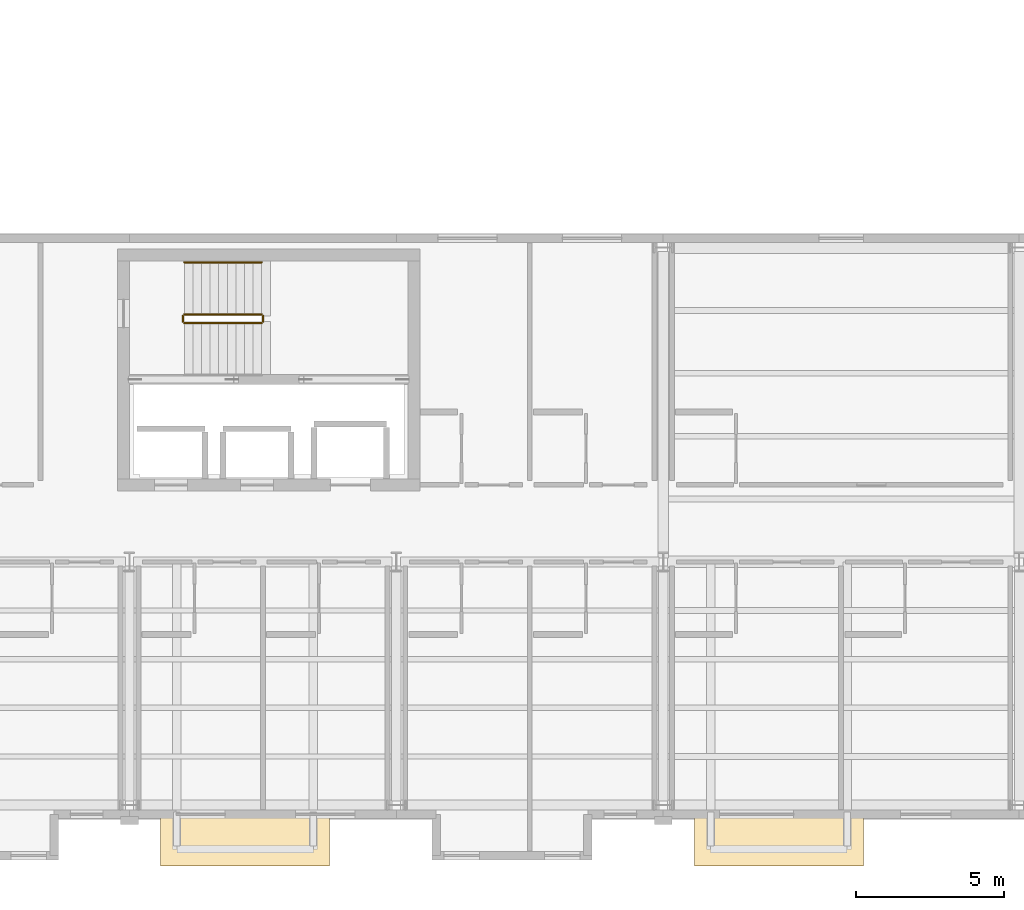
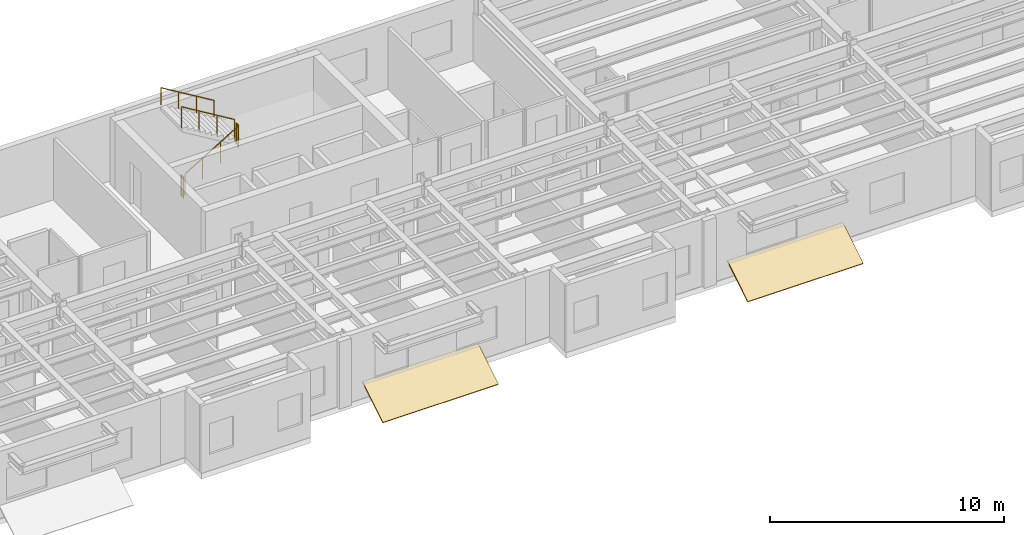
# One storey, part 21 of 23: 5 railings, 2 coverings.
"""IFC4 building model written with IfcOpenShell, lengths in metres."""

import ifcopenshell
import ifcopenshell.guid

model = None  # the IFC model being written
_history = None  # IfcOwnerHistory: only IFC2X3 demands one
_inside = {}  # id of a spatial element -> (the spatial element, [elements in it])
_under = {}  # id of a project, library or spatial element -> (it, [spatial elements below it])
_declared = {}  # id of a project -> (the project, [libraries it declares])
_typed = {}  # id of a type object -> (the type object, [elements of that type])
_made_of = {}  # id of a material, layer set ... -> (it, [elements and type objects made of it])


def new_model(schema):
    """Start an empty IFC model of exactly this schema.

    Asked for "IFC4X3", IfcOpenShell would pick the latest addendum, in which some entities
    have other attributes; the version numbers below select the first issue.
    IFC2X3 requires an IfcOwnerHistory on every rooted entity: one is made here for all.
    """
    global model, _history
    if schema == "IFC4X3":
        model = ifcopenshell.file(schema_version=(4, 3, 0, 0))
    else:
        model = ifcopenshell.file(schema=schema)
    _inside.clear()
    _under.clear()
    _declared.clear()
    _typed.clear()
    _made_of.clear()
    _history = None
    if model.schema == "IFC2X3":
        org = make("IfcOrganization", Name="unknown")
        user = make(
            "IfcPersonAndOrganization",
            ThePerson=make("IfcPerson", FamilyName="unknown"),
            TheOrganization=org,
        )
        app = make(
            "IfcApplication",
            ApplicationDeveloper=org,
            Version="unknown",
            ApplicationFullName="unknown",
            ApplicationIdentifier="unknown",
        )
        _history = make(
            "IfcOwnerHistory",
            OwningUser=user,
            OwningApplication=app,
            ChangeAction="ADDED",
            CreationDate=0,
        )
    return model


def make(cls, **values):
    """One entity of the class cls with the attributes given. An attribute that is None is left unset."""
    return model.create_entity(
        cls, **{name: value for name, value in values.items() if value is not None}
    )


def rooted(cls, **values):
    """An entity with a GlobalId (a new one), such as an element, a storey or a relation."""
    return make(cls, GlobalId=ifcopenshell.guid.new(), OwnerHistory=_history, **values)


def si_unit(unit_type, name, prefix=None):
    """IfcSIUnit, for example si_unit("LENGTHUNIT", "METRE", prefix="MILLI")."""
    return make("IfcSIUnit", UnitType=unit_type, Prefix=prefix, Name=name)


def assignment(units):
    """IfcUnitAssignment: the units of a project."""
    return None if units is None else make("IfcUnitAssignment", Units=units)


def point(xyz):
    """IfcCartesianPoint."""
    return None if xyz is None else make("IfcCartesianPoint", Coordinates=xyz)


def direction(xyz):
    """IfcDirection."""
    return None if xyz is None else make("IfcDirection", DirectionRatios=xyz)


def frame(location, z_axis=None, x_axis=None):
    """IfcAxis2Placement3D, a coordinate frame: its origin and axes. An axis left out is left unset."""
    return make(
        "IfcAxis2Placement3D",
        Location=point(location),
        Axis=direction(z_axis),
        RefDirection=direction(x_axis),
    )


def frame_2d(location, x_axis=None):
    """IfcAxis2Placement2D, a coordinate frame in the plane: its origin and x axis."""
    return make(
        "IfcAxis2Placement2D", Location=point(location), RefDirection=direction(x_axis)
    )


def origin():
    """The frame at (0, 0, 0) with its axes left unset."""
    return frame((0.0, 0.0, 0.0))


def origin_2d():
    """The frame at (0, 0) in the plane with its x axis left unset."""
    return frame_2d((0.0, 0.0))


def place(relative_to, where):
    """IfcLocalPlacement: puts the frame where relative to a parent placement (None: the world)."""
    return make(
        "IfcLocalPlacement", PlacementRelTo=relative_to, RelativePlacement=where
    )


def context(
    kind, dimensions, precision=None, world=None, true_north=None, identifier=None
):
    """IfcGeometricRepresentationContext, for example the 3D "Model" context."""
    return make(
        "IfcGeometricRepresentationContext",
        ContextIdentifier=identifier,
        ContextType=kind,
        CoordinateSpaceDimension=dimensions,
        Precision=precision,
        WorldCoordinateSystem=world,
        TrueNorth=true_north,
    )


def subcontext(parent, identifier, kind, view, scale=None):
    """IfcGeometricRepresentationSubContext, for example "Body" below "Model"."""
    return make(
        "IfcGeometricRepresentationSubContext",
        ContextIdentifier=identifier,
        ContextType=kind,
        ParentContext=parent,
        TargetScale=scale,
        TargetView=view,
    )


def project(units=None, contexts=None):
    """IfcProject with its units and contexts."""
    return rooted(
        "IfcProject",
        Name="project",
        RepresentationContexts=contexts,
        UnitsInContext=assignment(units),
    )


def spatial(cls, under=None, at=None, **own):
    """A site, building, storey or space (cls), placed at a placement, below another one or the project."""
    s = rooted(cls, ObjectPlacement=at, **own)
    if under is not None:
        _under.setdefault(under.id(), (under, []))[1].append(s)
    return s


def polyline(points):
    """IfcPolyline through the points."""
    return make("IfcPolyline", Points=[point(p) for p in points])


def profile(cls, at=None, kind="AREA", **sizes):
    """A parametric profile (cls). Its sizes go by their IFC names, for example OverallWidth=200.0."""
    return make(cls, ProfileType=kind, Position=at, **sizes)


def circle(**sizes):
    """IfcCircleProfileDef."""
    return profile("IfcCircleProfileDef", **sizes)


def outline(outer, holes=None, kind="AREA"):
    """IfcArbitraryClosedProfileDef: a profile drawn as a closed curve; with holes, ...WithVoids."""
    if holes is None:
        return make("IfcArbitraryClosedProfileDef", ProfileType=kind, OuterCurve=outer)
    return make(
        "IfcArbitraryProfileDefWithVoids",
        ProfileType=kind,
        OuterCurve=outer,
        InnerCurves=holes,
    )


def extrude(swept, where, along, depth):
    """IfcExtrudedAreaSolid: the profile swept, set in the frame where, extruded along a direction by depth."""
    return make(
        "IfcExtrudedAreaSolid",
        SweptArea=swept,
        Position=where,
        ExtrudedDirection=direction(along),
        Depth=depth,
    )


def shape(context_of_items, identifier, shape_type, items):
    """IfcShapeRepresentation: the items that make up one representation, for example the "Body"."""
    return make(
        "IfcShapeRepresentation",
        ContextOfItems=context_of_items,
        RepresentationIdentifier=identifier,
        RepresentationType=shape_type,
        Items=items,
    )


def material(Name=None, Category=None):
    """IfcMaterial."""
    return make("IfcMaterial", Name=Name, Category=Category)


def layer(
    of_material, thickness, ventilated=None, Name=None, Category=None, Priority=None
):
    """IfcMaterialLayer: one layer of a wall or slab, of a material (None: an air gap)."""
    return make(
        "IfcMaterialLayer",
        Material=of_material,
        LayerThickness=thickness,
        IsVentilated=ventilated,
        Name=Name,
        Category=Category,
        Priority=Priority,
    )


def layer_set(layers, Name=None):
    """IfcMaterialLayerSet."""
    return make("IfcMaterialLayerSet", MaterialLayers=layers, LayerSetName=Name)


def made_of(thing, what):
    """Note that an element or type object is made of a material, layer set ...; save() writes the relation."""
    if what is not None:
        _made_of.setdefault(what.id(), (what, []))[1].append(thing)
    return thing


def type_object(cls, material=None, **own):
    """A type object (cls), such as IfcWallType, which elements share."""
    return made_of(rooted(cls, **own), material)


def element(
    cls,
    number,
    at=None,
    inside=None,
    cuts=None,
    type_object=None,
    material=None,
    context=None,
    identifier="Body",
    shape_type=None,
    held_by="IfcProductDefinitionShape",
    body=None,
    shapes=None,
    **own,
):
    """One element of the class cls, such as IfcWall. Its Tag is "e" and its number.

    at: its placement. inside: the storey or other place that contains it. cuts: it is an
    opening in that element (IfcRelVoidsElement). A single representation is given by context,
    identifier, shape_type and body (its items); several are given by shapes. held_by: the class
    of the entity that holds the representations. save() writes the other relations.
    """
    e = rooted(cls, Tag="e%d" % number, ObjectPlacement=at, **own)
    if body is not None:
        shapes = [shape(context, identifier, shape_type, body)]
    if shapes is not None:
        e.Representation = make(held_by, Representations=shapes)
    if inside is not None:
        _inside.setdefault(inside.id(), (inside, []))[1].append(e)
    if cuts is not None:
        rooted(
            "IfcRelVoidsElement", RelatingBuildingElement=cuts, RelatedOpeningElement=e
        )
    if type_object is not None:
        _typed.setdefault(type_object.id(), (type_object, []))[1].append(e)
    return made_of(e, material)


def aggregate(whole, parts):
    """IfcRelAggregates: a whole, such as a stair, and the parts it consists of."""
    return rooted("IfcRelAggregates", RelatingObject=whole, RelatedObjects=parts)


def save(model, path):
    """Write the relations noted so far, then the file.

    IfcRelAggregates (storeys below a building ...), IfcRelContainedInSpatialStructure (elements
    in a storey), IfcRelDefinesByType, IfcRelAssociatesMaterial and IfcRelDeclares: one each for
    every whole, place, type object, material and project.
    """
    for whole, parts in _under.values():
        aggregate(whole, parts)
    for where, things in _inside.values():
        rooted(
            "IfcRelContainedInSpatialStructure",
            RelatedElements=things,
            RelatingStructure=where,
        )
    for kind, things in _typed.values():
        rooted("IfcRelDefinesByType", RelatedObjects=things, RelatingType=kind)
    for what, things in _made_of.values():
        rooted("IfcRelAssociatesMaterial", RelatedObjects=things, RelatingMaterial=what)
    for by, libraries in _declared.values():
        rooted("IfcRelDeclares", RelatingContext=by, RelatedDefinitions=libraries)
    model.write(path)


model = new_model("IFC4")

# Units and contexts
model_context = context("Model", 3, precision=1e-05, world=origin(), true_north=direction((0.0, 1.0)))
body_context = subcontext(model_context, "Body", "Model", "MODEL_VIEW")
ifc_project = project(units=[si_unit("LENGTHUNIT", "METRE"), si_unit("AREAUNIT", "SQUARE_METRE"), si_unit("VOLUMEUNIT", "CUBIC_METRE"), si_unit("PLANEANGLEUNIT", "RADIAN"), si_unit("MASSUNIT", "GRAM", prefix="KILO")], contexts=[model_context])

# Site, building, storey
site_placement = place(None, origin())
site = spatial("IfcSite", under=ifc_project, at=site_placement, CompositionType="ELEMENT")
building_placement = place(site_placement, origin())
building = spatial("IfcBuilding", under=site, at=building_placement, Name="Sollismere Congress Hotel", CompositionType="ELEMENT")
storey_placement = place(building_placement, frame((0.0, 0.0, 30.60009765625)))
storey = spatial("IfcBuildingStorey", under=building, at=storey_placement, Name="L07", CompositionType="ELEMENT", Elevation=30.60009765625)

# Coverings
ifc_material_1 = material(Name="Standing-Seam Titanium-Zinc Roof Assembly")
ifc_layer = layer(ifc_material_1, 0.054931640625, Name="Standing-Seam Titanium-Zinc Roof Assembly")
ifc_layer_set = layer_set([ifc_layer], Name="Standing-Seam Titanium-Zinc Roof Assembly")
covering_type = type_object("IfcCoveringType", Name="CV-RFZNC", PredefinedType="ROOFING", material=ifc_layer_set)
for number, where, z_axis, x_axis, name in (
    (1, (95.050048828125, -2.008056640625, -0.373291015625), (0.0, -0.525209771298, 0.850972794003), (1.0, 0.0, 0.0), "Cikma bay sacak hood SL-CKH-17"),
    (2, (113.050048828125, -2.008056640625, -0.373291015625), (0.0, -0.525209771298, 0.850972794003), (1.0, 0.0, 0.0), "Cikma bay sacak hood SL-CKH-18"),
):
    element("IfcCovering", number, at=place(storey_placement, frame(where, z_axis=z_axis, x_axis=x_axis)), inside=storey, type_object=covering_type, Name=name, PredefinedType="ROOFING", context=body_context, shape_type="SweptSolid", body=[
        extrude(outline(polyline([(0.0, 0.0), (5.699951171875, 0.0), (5.699951171875, 2.056396484375), (0.0, 2.056396484375), (0.0, 0.0)])), origin(), (0.0, 0.0, 1.0), 0.080078125),
    ])

# Railings
ifc_material_2 = material(Name="Steel ASTM A500 Grade C", Category="steel")
railing_type_1 = type_object("IfcRailingType", Name="RL-GRD112", PredefinedType="GUARDRAIL", material=ifc_material_2)
railing_1_placement = place(storey_placement, frame((95.85009765625, 16.25, 0.1748046875)))
element("IfcRailing", 3, at=railing_1_placement, inside=storey, type_object=railing_type_1, Name="RLG-RG-ST-02-L07-1", PredefinedType="GUARDRAIL", context=body_context, shape_type="SweptSolid", body=[
    extrude(circle(Radius=0.02392578125, at=origin_2d()), frame((0.0, 0.0, 1.09619140625), z_axis=(0.856147343639, 0.0, 0.516731773728), x_axis=(0.0, 1.0, 0.0)), (0.0, 0.0, 1.0), 3.04833984375),
    extrude(circle(Radius=0.02099609375, at=origin_2d()), origin(), (0.0, 0.0, 1.0), 1.072021484375),
    extrude(circle(Radius=0.02099609375, at=origin_2d()), frame((0.869873046875, 0.0, 0.525146484375)), (0.0, 0.0, 1.0), 1.072021484375),
    extrude(circle(Radius=0.02099609375, at=origin_2d()), frame((1.739990234375, 0.0, 1.050048828125)), (0.0, 0.0, 1.0), 1.072021484375),
    extrude(circle(Radius=0.02099609375, at=origin_2d()), frame((2.60986328125, 0.0, 1.5751953125)), (0.0, 0.0, 1.0), 1.072021484375),
])
railing_2_placement = place(storey_placement, frame((98.510009765625, 16.300048828125, 1.75)))
element("IfcRailing", 4, at=railing_2_placement, inside=storey, type_object=railing_type_1, Name="RLG-RG-ST-02-L07-2", PredefinedType="GUARDRAIL", context=body_context, shape_type="SweptSolid", body=[
    extrude(circle(Radius=0.02392578125, at=origin_2d()), frame((0.0, 0.0, 1.09619140625), z_axis=(0.0, 1.0, 0.0), x_axis=(-1.0, 0.0, 0.0)), (0.0, 0.0, 1.0), 0.199951171875),
    extrude(circle(Radius=0.02099609375, at=origin_2d()), origin(), (0.0, 0.0, 1.0), 1.072021484375),
    extrude(circle(Radius=0.02099609375, at=origin_2d()), frame((0.0, 0.199951171875, 0.0)), (0.0, 0.0, 1.0), 1.072021484375),
])
railing_3_placement = place(storey_placement, frame((98.4599609375, 16.550048828125, 1.9248046875)))
element("IfcRailing", 5, at=railing_3_placement, inside=storey, type_object=railing_type_1, Name="RLG-RG-ST-02-L07-3", PredefinedType="GUARDRAIL", context=body_context, shape_type="SweptSolid", body=[
    extrude(circle(Radius=0.02392578125, at=origin_2d()), frame((0.0, 0.0, 1.09619140625), z_axis=(-0.856147343639, 0.0, 0.516731773728), x_axis=(0.0, -1.0, 0.0)), (0.0, 0.0, 1.0), 3.04833984375),
    extrude(circle(Radius=0.02099609375, at=origin_2d()), origin(), (0.0, 0.0, 1.0), 1.072021484375),
    extrude(circle(Radius=0.02099609375, at=origin_2d()), frame((-0.869873046875, 0.0, 0.525146484375)), (0.0, 0.0, 1.0), 1.072021484375),
    extrude(circle(Radius=0.02099609375, at=origin_2d()), frame((-1.739990234375, 0.0, 1.050048828125)), (0.0, 0.0, 1.0), 1.072021484375),
    extrude(circle(Radius=0.02099609375, at=origin_2d()), frame((-2.60986328125, 0.0, 1.5751953125)), (0.0, 0.0, 1.0), 1.072021484375),
])
railing_4_placement = place(storey_placement, frame((95.800048828125, 16.300048828125, 0.0)))
element("IfcRailing", 6, at=railing_4_placement, inside=storey, type_object=railing_type_1, Name="RLG-RG-ST-02-L07-4", PredefinedType="GUARDRAIL", context=body_context, shape_type="SweptSolid", body=[
    extrude(circle(Radius=0.02392578125, at=origin_2d()), frame((0.0, 0.0, 1.09619140625), z_axis=(0.0, 1.0, 0.0), x_axis=(-1.0, 0.0, 0.0)), (0.0, 0.0, 1.0), 0.199951171875),
    extrude(circle(Radius=0.02099609375, at=origin_2d()), origin(), (0.0, 0.0, 1.0), 1.072021484375),
    extrude(circle(Radius=0.02099609375, at=origin_2d()), frame((0.0, 0.199951171875, 0.0)), (0.0, 0.0, 1.0), 1.072021484375),
])
ifc_material_3 = material(Name="Brushed Architectural Bronze")
railing_type_2 = type_object("IfcRailingType", Name="RL-HND90", PredefinedType="HANDRAIL", material=ifc_material_3)
railing_5_placement = place(storey_placement, frame((98.4599609375, 18.300048828125, 2.075927734375)))
element("IfcRailing", 7, at=railing_5_placement, inside=storey, type_object=railing_type_2, Name="RLG-RH-ST-02-L07-2", PredefinedType="HANDRAIL", context=body_context, shape_type="SweptSolid", body=[
    extrude(circle(Radius=0.02392578125, at=origin_2d()), frame((0.0, 0.0, 0.8759765625), z_axis=(-0.85618277418, 0.0, 0.516673066065), x_axis=(0.0, -1.0, 0.0)), (0.0, 0.0, 1.0), 3.04833984375),
    extrude(circle(Radius=0.02099609375, at=origin_2d()), origin(), (0.0, 0.0, 1.0), 0.851806640625),
    extrude(circle(Radius=0.02099609375, at=origin_2d()), frame((-0.869873046875, 0.0, 0.52490234375)), (0.0, 0.0, 1.0), 0.851806640625),
    extrude(circle(Radius=0.02099609375, at=origin_2d()), frame((-1.739990234375, 0.0, 1.050048828125)), (0.0, 0.0, 1.0), 0.851806640625),
    extrude(circle(Radius=0.02099609375, at=origin_2d()), frame((-2.60986328125, 0.0, 1.574951171875)), (0.0, 0.0, 1.0), 0.851806640625),
])

save(model, "model.ifc")
